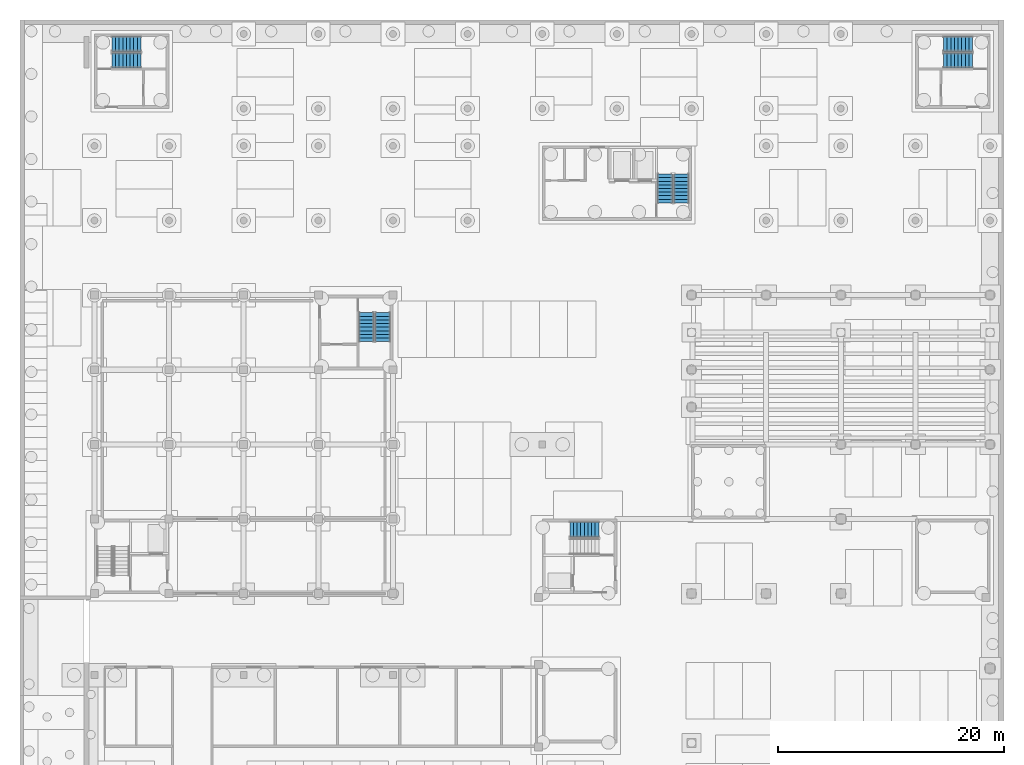
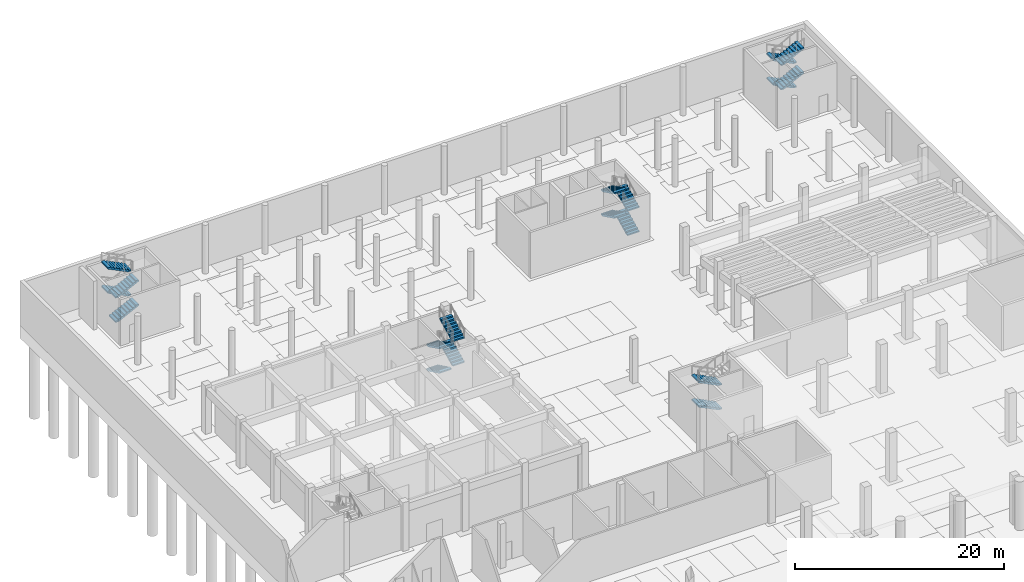
# One storey, part 21 of 38: 18 stair flights, 5 elements without a shape of their own.
"""IFC4 building model written with IfcOpenShell, lengths in metres."""

from ifc_helpers import new_model, si_unit, direction, frame, origin, place, context, subcontext, project, spatial, polyline, outline, extrude, material, type_object, element, aggregate, save


model = new_model("IFC4")

# Units and contexts
model_context = context("Model", 3, precision=1e-05, world=origin(), true_north=direction((0.0, 1.0)))
body_context = subcontext(model_context, "Body", "Model", "MODEL_VIEW")
ifc_project = project(units=[si_unit("LENGTHUNIT", "METRE"), si_unit("AREAUNIT", "SQUARE_METRE"), si_unit("VOLUMEUNIT", "CUBIC_METRE"), si_unit("PLANEANGLEUNIT", "RADIAN"), si_unit("MASSUNIT", "GRAM", prefix="KILO")], contexts=[model_context])

# Site, building, storey
site_placement = place(None, origin())
site = spatial("IfcSite", under=ifc_project, at=site_placement, CompositionType="ELEMENT")
building_placement = place(site_placement, origin())
building = spatial("IfcBuilding", under=site, at=building_placement, Name="Lantern Court Research Institute", CompositionType="ELEMENT")
storey_placement = place(building_placement, frame((0.0, 0.0, -5.699951171875)))
storey = spatial("IfcBuildingStorey", under=building, at=storey_placement, Name="B1", CompositionType="ELEMENT", Elevation=-5.699951171875)

# Stair, stair flights
ifc_material_1 = material(Name="Concrete C40/50", Category="concrete")
stair_type_1 = type_object("IfcStairType", Name="RC half-turn stair 1300 wide, 5700 rise, 6100 shaft", PredefinedType="HALF_TURN_STAIR", material=ifc_material_1)
stair_1_placement = place(storey_placement, origin())
stair_1 = element("IfcStair", 1, at=stair_1_placement, inside=storey, type_object=stair_type_1, Name="B1 stair ST-W1", PredefinedType="HALF_TURN_STAIR")
ifc_material_2 = material(Name="Concrete C40/50", Category="concrete")
stair_flight_type_1 = type_object("IfcStairFlightType", Name="RC stair flight 1300 wide, 9 risers of 158, going 320", PredefinedType="STRAIGHT", material=ifc_material_2)
stair_flight_1_placement = place(storey_placement, frame((1.550048828125, 96.64990234375, 0.0), z_axis=(0.0, 0.0, 1.0), x_axis=(1.0, 0.0, 0.0)))
stair_flight_1 = element("IfcStairFlight", 2, at=stair_flight_1_placement, type_object=stair_flight_type_1, Name="ST-W1 flight 1", NumberOfRisers=9, NumberOfTreads=8, PredefinedType="STRAIGHT", RiserHeight=0.158333333, TreadLength=0.32, context=body_context, shape_type="SweptSolid", body=[
    extrude(outline(polyline([(0.0, 0.0), (0.0, 0.158447265625), (0.320068359375, 0.158447265625), (0.320068359375, 0.316650390625), (0.639892578125, 0.316650390625), (0.639892578125, 0.47509765625), (0.9599609375, 0.47509765625), (0.9599609375, 0.63330078125), (1.280029296875, 0.63330078125), (1.280029296875, 0.791748046875), (1.60009765625, 0.791748046875), (1.60009765625, 0.949951171875), (1.919921875, 0.949951171875), (1.919921875, 1.1083984375), (2.239990234375, 1.1083984375), (2.239990234375, 1.2666015625), (2.56005859375, 1.2666015625), (2.56005859375, 1.425048828125), (2.56005859375, 1.099365234375), (0.338134765625, 0.0), (0.0, 0.0)])), frame((0.0, 0.64990234375, 0.0), z_axis=(0.0, -1.0, 0.0), x_axis=(1.0, 0.0, 0.0)), (0.0, 0.0, 1.0), 1.300048828125),
])
stair_flight_2_placement = place(storey_placement, frame((4.110107421875, 98.10009765625, 1.425048828125), z_axis=(0.0, 0.0, 1.0), x_axis=(-1.0, 0.0, 0.0)))
stair_flight_2 = element("IfcStairFlight", 3, at=stair_flight_2_placement, type_object=stair_flight_type_1, Name="ST-W1 flight 2", NumberOfRisers=9, NumberOfTreads=8, PredefinedType="STRAIGHT", RiserHeight=0.158333333, TreadLength=0.32, context=body_context, shape_type="SweptSolid", body=[
    extrude(outline(polyline([(0.0, 0.0), (0.0, 0.158447265625), (0.320068359375, 0.158447265625), (0.320068359375, 0.316650390625), (0.639892578125, 0.316650390625), (0.639892578125, 0.47509765625), (0.9599609375, 0.47509765625), (0.9599609375, 0.63330078125), (1.280029296875, 0.63330078125), (1.280029296875, 0.791748046875), (1.60009765625, 0.791748046875), (1.60009765625, 0.949951171875), (1.919921875, 0.949951171875), (1.919921875, 1.1083984375), (2.239990234375, 1.1083984375), (2.239990234375, 1.2666015625), (2.56005859375, 1.2666015625), (2.56005859375, 1.425048828125), (2.56005859375, 1.099365234375), (0.338134765625, 0.0), (0.0, 0.0)])), frame((0.0, 0.64990234375, 0.0), z_axis=(0.0, -1.0, 0.0), x_axis=(1.0, 0.0, 0.0)), (0.0, 0.0, 1.0), 1.300048828125),
])
stair_flight_3_placement = place(storey_placement, frame((1.550048828125, 96.64990234375, 2.849853515625), z_axis=(0.0, 0.0, 1.0), x_axis=(1.0, 0.0, 0.0)))
stair_flight_3 = element("IfcStairFlight", 4, at=stair_flight_3_placement, type_object=stair_flight_type_1, Name="ST-W1 flight 3", NumberOfRisers=9, NumberOfTreads=8, PredefinedType="STRAIGHT", RiserHeight=0.158333333, TreadLength=0.32, context=body_context, shape_type="SweptSolid", body=[
    extrude(outline(polyline([(0.0, 0.0), (0.0, 0.158447265625), (0.320068359375, 0.158447265625), (0.320068359375, 0.316650390625), (0.639892578125, 0.316650390625), (0.639892578125, 0.47509765625), (0.9599609375, 0.47509765625), (0.9599609375, 0.63330078125), (1.280029296875, 0.63330078125), (1.280029296875, 0.791748046875), (1.60009765625, 0.791748046875), (1.60009765625, 0.949951171875), (1.919921875, 0.949951171875), (1.919921875, 1.1083984375), (2.239990234375, 1.1083984375), (2.239990234375, 1.2666015625), (2.56005859375, 1.2666015625), (2.56005859375, 1.425048828125), (2.56005859375, 1.099365234375), (0.338134765625, 0.0), (0.0, 0.0)])), frame((0.0, 0.64990234375, 0.0), z_axis=(0.0, -1.0, 0.0), x_axis=(1.0, 0.0, 0.0)), (0.0, 0.0, 1.0), 1.300048828125),
])
stair_flight_4_placement = place(storey_placement, frame((4.110107421875, 98.10009765625, 4.27490234375), z_axis=(0.0, 0.0, 1.0), x_axis=(-1.0, 0.0, 0.0)))
stair_flight_4 = element("IfcStairFlight", 5, at=stair_flight_4_placement, type_object=stair_flight_type_1, Name="ST-W1 flight 4", NumberOfRisers=9, NumberOfTreads=8, PredefinedType="STRAIGHT", RiserHeight=0.158333333, TreadLength=0.32, context=body_context, shape_type="SweptSolid", body=[
    extrude(outline(polyline([(0.0, 0.0), (0.0, 0.158447265625), (0.320068359375, 0.158447265625), (0.320068359375, 0.316650390625), (0.639892578125, 0.316650390625), (0.639892578125, 0.47509765625), (0.9599609375, 0.47509765625), (0.9599609375, 0.63330078125), (1.280029296875, 0.63330078125), (1.280029296875, 0.791748046875), (1.60009765625, 0.791748046875), (1.60009765625, 0.949951171875), (1.919921875, 0.949951171875), (1.919921875, 1.1083984375), (2.239990234375, 1.1083984375), (2.239990234375, 1.2666015625), (2.56005859375, 1.2666015625), (2.56005859375, 1.425048828125), (2.56005859375, 1.099365234375), (0.338134765625, 0.0), (0.0, 0.0)])), frame((0.0, 0.64990234375, 0.0), z_axis=(0.0, -1.0, 0.0), x_axis=(1.0, 0.0, 0.0)), (0.0, 0.0, 1.0), 1.300048828125),
])
aggregate(stair_1, [stair_flight_1, stair_flight_2, stair_flight_3, stair_flight_4])

stair_2_placement = place(storey_placement, origin())
stair_2 = element("IfcStair", 6, at=stair_2_placement, inside=storey, type_object=stair_type_1, Name="B1 stair ST-W2", PredefinedType="HALF_TURN_STAIR")
stair_flight_5_placement = place(storey_placement, frame((51.89990234375, 84.050048828125, 0.0), z_axis=(0.0, 0.0, 1.0), x_axis=(0.0, 1.0, 0.0)))
stair_flight_5 = element("IfcStairFlight", 7, at=stair_flight_5_placement, type_object=stair_flight_type_1, Name="ST-W2 flight 1", NumberOfRisers=9, NumberOfTreads=8, PredefinedType="STRAIGHT", RiserHeight=0.158333333, TreadLength=0.32, context=body_context, shape_type="SweptSolid", body=[
    extrude(outline(polyline([(0.0, 0.0), (0.0, 0.158447265625), (0.320068359375, 0.158447265625), (0.320068359375, 0.316650390625), (0.639892578125, 0.316650390625), (0.639892578125, 0.47509765625), (0.9599609375, 0.47509765625), (0.9599609375, 0.63330078125), (1.280029296875, 0.63330078125), (1.280029296875, 0.791748046875), (1.60009765625, 0.791748046875), (1.60009765625, 0.949951171875), (1.919921875, 0.949951171875), (1.919921875, 1.1083984375), (2.239990234375, 1.1083984375), (2.239990234375, 1.2666015625), (2.56005859375, 1.2666015625), (2.56005859375, 1.425048828125), (2.56005859375, 1.099365234375), (0.338134765625, 0.0), (0.0, 0.0)])), frame((0.0, 0.64990234375, 0.0), z_axis=(0.0, -1.0, 0.0), x_axis=(1.0, 0.0, 0.0)), (0.0, 0.0, 1.0), 1.300048828125),
])
stair_flight_6_placement = place(storey_placement, frame((50.449951171875, 86.610107421875, 1.425048828125), z_axis=(0.0, 0.0, 1.0), x_axis=(0.0, -1.0, 0.0)))
stair_flight_6 = element("IfcStairFlight", 8, at=stair_flight_6_placement, type_object=stair_flight_type_1, Name="ST-W2 flight 2", NumberOfRisers=9, NumberOfTreads=8, PredefinedType="STRAIGHT", RiserHeight=0.158333333, TreadLength=0.32, context=body_context, shape_type="SweptSolid", body=[
    extrude(outline(polyline([(0.0, 0.0), (0.0, 0.158447265625), (0.320068359375, 0.158447265625), (0.320068359375, 0.316650390625), (0.639892578125, 0.316650390625), (0.639892578125, 0.47509765625), (0.9599609375, 0.47509765625), (0.9599609375, 0.63330078125), (1.280029296875, 0.63330078125), (1.280029296875, 0.791748046875), (1.60009765625, 0.791748046875), (1.60009765625, 0.949951171875), (1.919921875, 0.949951171875), (1.919921875, 1.1083984375), (2.239990234375, 1.1083984375), (2.239990234375, 1.2666015625), (2.56005859375, 1.2666015625), (2.56005859375, 1.425048828125), (2.56005859375, 1.099365234375), (0.338134765625, 0.0), (0.0, 0.0)])), frame((0.0, 0.64990234375, 0.0), z_axis=(0.0, -1.0, 0.0), x_axis=(1.0, 0.0, 0.0)), (0.0, 0.0, 1.0), 1.300048828125),
])
stair_flight_7_placement = place(storey_placement, frame((51.89990234375, 84.050048828125, 2.849853515625), z_axis=(0.0, 0.0, 1.0), x_axis=(0.0, 1.0, 0.0)))
stair_flight_7 = element("IfcStairFlight", 9, at=stair_flight_7_placement, type_object=stair_flight_type_1, Name="ST-W2 flight 3", NumberOfRisers=9, NumberOfTreads=8, PredefinedType="STRAIGHT", RiserHeight=0.158333333, TreadLength=0.32, context=body_context, shape_type="SweptSolid", body=[
    extrude(outline(polyline([(0.0, 0.0), (0.0, 0.158447265625), (0.320068359375, 0.158447265625), (0.320068359375, 0.316650390625), (0.639892578125, 0.316650390625), (0.639892578125, 0.47509765625), (0.9599609375, 0.47509765625), (0.9599609375, 0.63330078125), (1.280029296875, 0.63330078125), (1.280029296875, 0.791748046875), (1.60009765625, 0.791748046875), (1.60009765625, 0.949951171875), (1.919921875, 0.949951171875), (1.919921875, 1.1083984375), (2.239990234375, 1.1083984375), (2.239990234375, 1.2666015625), (2.56005859375, 1.2666015625), (2.56005859375, 1.425048828125), (2.56005859375, 1.099365234375), (0.338134765625, 0.0), (0.0, 0.0)])), frame((0.0, 0.64990234375, 0.0), z_axis=(0.0, -1.0, 0.0), x_axis=(1.0, 0.0, 0.0)), (0.0, 0.0, 1.0), 1.300048828125),
])
stair_flight_8_placement = place(storey_placement, frame((50.449951171875, 86.610107421875, 4.27490234375), z_axis=(0.0, 0.0, 1.0), x_axis=(0.0, -1.0, 0.0)))
stair_flight_8 = element("IfcStairFlight", 10, at=stair_flight_8_placement, type_object=stair_flight_type_1, Name="ST-W2 flight 4", NumberOfRisers=9, NumberOfTreads=8, PredefinedType="STRAIGHT", RiserHeight=0.158333333, TreadLength=0.32, context=body_context, shape_type="SweptSolid", body=[
    extrude(outline(polyline([(0.0, 0.0), (0.0, 0.158447265625), (0.320068359375, 0.158447265625), (0.320068359375, 0.316650390625), (0.639892578125, 0.316650390625), (0.639892578125, 0.47509765625), (0.9599609375, 0.47509765625), (0.9599609375, 0.63330078125), (1.280029296875, 0.63330078125), (1.280029296875, 0.791748046875), (1.60009765625, 0.791748046875), (1.60009765625, 0.949951171875), (1.919921875, 0.949951171875), (1.919921875, 1.1083984375), (2.239990234375, 1.1083984375), (2.239990234375, 1.2666015625), (2.56005859375, 1.2666015625), (2.56005859375, 1.425048828125), (2.56005859375, 1.099365234375), (0.338134765625, 0.0), (0.0, 0.0)])), frame((0.0, 0.64990234375, 0.0), z_axis=(0.0, -1.0, 0.0), x_axis=(1.0, 0.0, 0.0)), (0.0, 0.0, 1.0), 1.300048828125),
])
aggregate(stair_2, [stair_flight_5, stair_flight_6, stair_flight_7, stair_flight_8])

stair_3_placement = place(storey_placement, origin())
stair_3 = element("IfcStair", 11, at=stair_3_placement, inside=storey, type_object=stair_type_1, Name="B1 stair ST-W3", PredefinedType="HALF_TURN_STAIR")
stair_flight_9_placement = place(storey_placement, frame((77.64990234375, 98.10009765625, 0.0), z_axis=(0.0, 0.0, 1.0), x_axis=(-1.0, 0.0, 0.0)))
stair_flight_9 = element("IfcStairFlight", 12, at=stair_flight_9_placement, type_object=stair_flight_type_1, Name="ST-W3 flight 1", NumberOfRisers=9, NumberOfTreads=8, PredefinedType="STRAIGHT", RiserHeight=0.158333333, TreadLength=0.32, context=body_context, shape_type="SweptSolid", body=[
    extrude(outline(polyline([(0.0, 0.0), (0.0, 0.158447265625), (0.320068359375, 0.158447265625), (0.320068359375, 0.316650390625), (0.639892578125, 0.316650390625), (0.639892578125, 0.47509765625), (0.9599609375, 0.47509765625), (0.9599609375, 0.63330078125), (1.280029296875, 0.63330078125), (1.280029296875, 0.791748046875), (1.60009765625, 0.791748046875), (1.60009765625, 0.949951171875), (1.919921875, 0.949951171875), (1.919921875, 1.1083984375), (2.239990234375, 1.1083984375), (2.239990234375, 1.2666015625), (2.56005859375, 1.2666015625), (2.56005859375, 1.425048828125), (2.56005859375, 1.099365234375), (0.338134765625, 0.0), (0.0, 0.0)])), frame((0.0, 0.64990234375, 0.0), z_axis=(0.0, -1.0, 0.0), x_axis=(1.0, 0.0, 0.0)), (0.0, 0.0, 1.0), 1.300048828125),
])
stair_flight_10_placement = place(storey_placement, frame((75.090087890625, 96.64990234375, 1.425048828125), z_axis=(0.0, 0.0, 1.0), x_axis=(1.0, 0.0, 0.0)))
stair_flight_10 = element("IfcStairFlight", 13, at=stair_flight_10_placement, type_object=stair_flight_type_1, Name="ST-W3 flight 2", NumberOfRisers=9, NumberOfTreads=8, PredefinedType="STRAIGHT", RiserHeight=0.158333333, TreadLength=0.32, context=body_context, shape_type="SweptSolid", body=[
    extrude(outline(polyline([(0.0, 0.0), (0.0, 0.158447265625), (0.320068359375, 0.158447265625), (0.320068359375, 0.316650390625), (0.639892578125, 0.316650390625), (0.639892578125, 0.47509765625), (0.9599609375, 0.47509765625), (0.9599609375, 0.63330078125), (1.280029296875, 0.63330078125), (1.280029296875, 0.791748046875), (1.60009765625, 0.791748046875), (1.60009765625, 0.949951171875), (1.919921875, 0.949951171875), (1.919921875, 1.1083984375), (2.239990234375, 1.1083984375), (2.239990234375, 1.2666015625), (2.56005859375, 1.2666015625), (2.56005859375, 1.425048828125), (2.56005859375, 1.099365234375), (0.338134765625, 0.0), (0.0, 0.0)])), frame((0.0, 0.64990234375, 0.0), z_axis=(0.0, -1.0, 0.0), x_axis=(1.0, 0.0, 0.0)), (0.0, 0.0, 1.0), 1.300048828125),
])
stair_flight_11_placement = place(storey_placement, frame((77.64990234375, 98.10009765625, 2.849853515625), z_axis=(0.0, 0.0, 1.0), x_axis=(-1.0, 0.0, 0.0)))
stair_flight_11 = element("IfcStairFlight", 14, at=stair_flight_11_placement, type_object=stair_flight_type_1, Name="ST-W3 flight 3", NumberOfRisers=9, NumberOfTreads=8, PredefinedType="STRAIGHT", RiserHeight=0.158333333, TreadLength=0.32, context=body_context, shape_type="SweptSolid", body=[
    extrude(outline(polyline([(0.0, 0.0), (0.0, 0.158447265625), (0.320068359375, 0.158447265625), (0.320068359375, 0.316650390625), (0.639892578125, 0.316650390625), (0.639892578125, 0.47509765625), (0.9599609375, 0.47509765625), (0.9599609375, 0.63330078125), (1.280029296875, 0.63330078125), (1.280029296875, 0.791748046875), (1.60009765625, 0.791748046875), (1.60009765625, 0.949951171875), (1.919921875, 0.949951171875), (1.919921875, 1.1083984375), (2.239990234375, 1.1083984375), (2.239990234375, 1.2666015625), (2.56005859375, 1.2666015625), (2.56005859375, 1.425048828125), (2.56005859375, 1.099365234375), (0.338134765625, 0.0), (0.0, 0.0)])), frame((0.0, 0.64990234375, 0.0), z_axis=(0.0, -1.0, 0.0), x_axis=(1.0, 0.0, 0.0)), (0.0, 0.0, 1.0), 1.300048828125),
])
stair_flight_12_placement = place(storey_placement, frame((75.090087890625, 96.64990234375, 4.27490234375), z_axis=(0.0, 0.0, 1.0), x_axis=(1.0, 0.0, 0.0)))
stair_flight_12 = element("IfcStairFlight", 15, at=stair_flight_12_placement, type_object=stair_flight_type_1, Name="ST-W3 flight 4", NumberOfRisers=9, NumberOfTreads=8, PredefinedType="STRAIGHT", RiserHeight=0.158333333, TreadLength=0.32, context=body_context, shape_type="SweptSolid", body=[
    extrude(outline(polyline([(0.0, 0.0), (0.0, 0.158447265625), (0.320068359375, 0.158447265625), (0.320068359375, 0.316650390625), (0.639892578125, 0.316650390625), (0.639892578125, 0.47509765625), (0.9599609375, 0.47509765625), (0.9599609375, 0.63330078125), (1.280029296875, 0.63330078125), (1.280029296875, 0.791748046875), (1.60009765625, 0.791748046875), (1.60009765625, 0.949951171875), (1.919921875, 0.949951171875), (1.919921875, 1.1083984375), (2.239990234375, 1.1083984375), (2.239990234375, 1.2666015625), (2.56005859375, 1.2666015625), (2.56005859375, 1.425048828125), (2.56005859375, 1.099365234375), (0.338134765625, 0.0), (0.0, 0.0)])), frame((0.0, 0.64990234375, 0.0), z_axis=(0.0, -1.0, 0.0), x_axis=(1.0, 0.0, 0.0)), (0.0, 0.0, 1.0), 1.300048828125),
])
aggregate(stair_3, [stair_flight_9, stair_flight_10, stair_flight_11, stair_flight_12])

stair_4_placement = place(storey_placement, origin())
stair_4 = element("IfcStair", 16, at=stair_4_placement, inside=storey, type_object=stair_type_1, Name="B1 stair ST-C2", PredefinedType="HALF_TURN_STAIR")
stair_flight_13_placement = place(storey_placement, frame((24.050048828125, 74.35009765625, 0.0), z_axis=(0.0, 0.0, 1.0), x_axis=(0.0, -1.0, 0.0)))
stair_flight_13 = element("IfcStairFlight", 17, at=stair_flight_13_placement, type_object=stair_flight_type_1, Name="ST-C2 flight 1", NumberOfRisers=9, NumberOfTreads=8, PredefinedType="STRAIGHT", RiserHeight=0.158333333, TreadLength=0.32, context=body_context, shape_type="SweptSolid", body=[
    extrude(outline(polyline([(0.0, 0.0), (0.0, 0.158447265625), (0.320068359375, 0.158447265625), (0.320068359375, 0.316650390625), (0.639892578125, 0.316650390625), (0.639892578125, 0.47509765625), (0.9599609375, 0.47509765625), (0.9599609375, 0.63330078125), (1.280029296875, 0.63330078125), (1.280029296875, 0.791748046875), (1.60009765625, 0.791748046875), (1.60009765625, 0.949951171875), (1.919921875, 0.949951171875), (1.919921875, 1.1083984375), (2.239990234375, 1.1083984375), (2.239990234375, 1.2666015625), (2.56005859375, 1.2666015625), (2.56005859375, 1.425048828125), (2.56005859375, 1.099365234375), (0.338134765625, 0.0), (0.0, 0.0)])), frame((0.0, 0.64990234375, 0.0), z_axis=(0.0, -1.0, 0.0), x_axis=(1.0, 0.0, 0.0)), (0.0, 0.0, 1.0), 1.300048828125),
])
stair_flight_14_placement = place(storey_placement, frame((25.5, 71.7900390625, 1.425048828125), z_axis=(0.0, 0.0, 1.0), x_axis=(0.0, 1.0, 0.0)))
stair_flight_14 = element("IfcStairFlight", 18, at=stair_flight_14_placement, type_object=stair_flight_type_1, Name="ST-C2 flight 2", NumberOfRisers=9, NumberOfTreads=8, PredefinedType="STRAIGHT", RiserHeight=0.158333333, TreadLength=0.32, context=body_context, shape_type="SweptSolid", body=[
    extrude(outline(polyline([(0.0, 0.0), (0.0, 0.158447265625), (0.320068359375, 0.158447265625), (0.320068359375, 0.316650390625), (0.639892578125, 0.316650390625), (0.639892578125, 0.47509765625), (0.9599609375, 0.47509765625), (0.9599609375, 0.63330078125), (1.280029296875, 0.63330078125), (1.280029296875, 0.791748046875), (1.60009765625, 0.791748046875), (1.60009765625, 0.949951171875), (1.919921875, 0.949951171875), (1.919921875, 1.1083984375), (2.239990234375, 1.1083984375), (2.239990234375, 1.2666015625), (2.56005859375, 1.2666015625), (2.56005859375, 1.425048828125), (2.56005859375, 1.099365234375), (0.338134765625, 0.0), (0.0, 0.0)])), frame((0.0, 0.64990234375, 0.0), z_axis=(0.0, -1.0, 0.0), x_axis=(1.0, 0.0, 0.0)), (0.0, 0.0, 1.0), 1.300048828125),
])
stair_flight_15_placement = place(storey_placement, frame((24.050048828125, 74.35009765625, 2.849853515625), z_axis=(0.0, 0.0, 1.0), x_axis=(0.0, -1.0, 0.0)))
stair_flight_15 = element("IfcStairFlight", 19, at=stair_flight_15_placement, type_object=stair_flight_type_1, Name="ST-C2 flight 3", NumberOfRisers=9, NumberOfTreads=8, PredefinedType="STRAIGHT", RiserHeight=0.158333333, TreadLength=0.32, context=body_context, shape_type="SweptSolid", body=[
    extrude(outline(polyline([(0.0, 0.0), (0.0, 0.158447265625), (0.320068359375, 0.158447265625), (0.320068359375, 0.316650390625), (0.639892578125, 0.316650390625), (0.639892578125, 0.47509765625), (0.9599609375, 0.47509765625), (0.9599609375, 0.63330078125), (1.280029296875, 0.63330078125), (1.280029296875, 0.791748046875), (1.60009765625, 0.791748046875), (1.60009765625, 0.949951171875), (1.919921875, 0.949951171875), (1.919921875, 1.1083984375), (2.239990234375, 1.1083984375), (2.239990234375, 1.2666015625), (2.56005859375, 1.2666015625), (2.56005859375, 1.425048828125), (2.56005859375, 1.099365234375), (0.338134765625, 0.0), (0.0, 0.0)])), frame((0.0, 0.64990234375, 0.0), z_axis=(0.0, -1.0, 0.0), x_axis=(1.0, 0.0, 0.0)), (0.0, 0.0, 1.0), 1.300048828125),
])
stair_flight_16_placement = place(storey_placement, frame((25.5, 71.7900390625, 4.27490234375), z_axis=(0.0, 0.0, 1.0), x_axis=(0.0, 1.0, 0.0)))
stair_flight_16 = element("IfcStairFlight", 20, at=stair_flight_16_placement, type_object=stair_flight_type_1, Name="ST-C2 flight 4", NumberOfRisers=9, NumberOfTreads=8, PredefinedType="STRAIGHT", RiserHeight=0.158333333, TreadLength=0.32, context=body_context, shape_type="SweptSolid", body=[
    extrude(outline(polyline([(0.0, 0.0), (0.0, 0.158447265625), (0.320068359375, 0.158447265625), (0.320068359375, 0.316650390625), (0.639892578125, 0.316650390625), (0.639892578125, 0.47509765625), (0.9599609375, 0.47509765625), (0.9599609375, 0.63330078125), (1.280029296875, 0.63330078125), (1.280029296875, 0.791748046875), (1.60009765625, 0.791748046875), (1.60009765625, 0.949951171875), (1.919921875, 0.949951171875), (1.919921875, 1.1083984375), (2.239990234375, 1.1083984375), (2.239990234375, 1.2666015625), (2.56005859375, 1.2666015625), (2.56005859375, 1.425048828125), (2.56005859375, 1.099365234375), (0.338134765625, 0.0), (0.0, 0.0)])), frame((0.0, 0.64990234375, 0.0), z_axis=(0.0, -1.0, 0.0), x_axis=(1.0, 0.0, 0.0)), (0.0, 0.0, 1.0), 1.300048828125),
])
aggregate(stair_4, [stair_flight_13, stair_flight_14, stair_flight_15, stair_flight_16])

ifc_material_3 = material(Name="Concrete C40/50", Category="concrete")
stair_type_2 = type_object("IfcStairType", Name="RC half-turn stair 1350 wide, 5700 rise, 6100 shaft", PredefinedType="HALF_TURN_STAIR", material=ifc_material_3)
stair_5_placement = place(storey_placement, origin())
stair_5 = element("IfcStair", 21, at=stair_5_placement, inside=storey, type_object=stair_type_2, Name="B1 stair ST-H1", PredefinedType="HALF_TURN_STAIR")
ifc_material_4 = material(Name="Concrete C40/50", Category="concrete")
stair_flight_type_2 = type_object("IfcStairFlightType", Name="RC stair flight 1350 wide, 9 risers of 158, going 320", PredefinedType="STRAIGHT", material=ifc_material_4)
stair_flight_17_placement = place(storey_placement, frame((44.60009765625, 55.175048828125, 0.0), z_axis=(0.0, 0.0, 1.0), x_axis=(-1.0, 0.0, 0.0)))
stair_flight_17 = element("IfcStairFlight", 22, at=stair_flight_17_placement, type_object=stair_flight_type_2, Name="ST-H1 flight 1", NumberOfRisers=9, NumberOfTreads=8, PredefinedType="STRAIGHT", RiserHeight=0.158333333, TreadLength=0.32, context=body_context, shape_type="SweptSolid", body=[
    extrude(outline(polyline([(0.0, 0.0), (0.0, 0.158447265625), (0.320068359375, 0.158447265625), (0.320068359375, 0.316650390625), (0.639892578125, 0.316650390625), (0.639892578125, 0.47509765625), (0.9599609375, 0.47509765625), (0.9599609375, 0.63330078125), (1.280029296875, 0.63330078125), (1.280029296875, 0.791748046875), (1.60009765625, 0.791748046875), (1.60009765625, 0.949951171875), (1.919921875, 0.949951171875), (1.919921875, 1.1083984375), (2.239990234375, 1.1083984375), (2.239990234375, 1.2666015625), (2.56005859375, 1.2666015625), (2.56005859375, 1.425048828125), (2.56005859375, 1.099365234375), (0.338134765625, 0.0), (0.0, 0.0)])), frame((0.0, 0.675048828125, 0.0), z_axis=(0.0, -1.0, 0.0), x_axis=(1.0, 0.0, 0.0)), (0.0, 0.0, 1.0), 1.35009765625),
])
stair_flight_18_placement = place(storey_placement, frame((44.60009765625, 55.175048828125, 2.849853515625), z_axis=(0.0, 0.0, 1.0), x_axis=(-1.0, 0.0, 0.0)))
stair_flight_18 = element("IfcStairFlight", 23, at=stair_flight_18_placement, type_object=stair_flight_type_2, Name="ST-H1 flight 3", NumberOfRisers=9, NumberOfTreads=8, PredefinedType="STRAIGHT", RiserHeight=0.158333333, TreadLength=0.32, context=body_context, shape_type="SweptSolid", body=[
    extrude(outline(polyline([(0.0, 0.0), (0.0, 0.158447265625), (0.320068359375, 0.158447265625), (0.320068359375, 0.316650390625), (0.639892578125, 0.316650390625), (0.639892578125, 0.47509765625), (0.9599609375, 0.47509765625), (0.9599609375, 0.63330078125), (1.280029296875, 0.63330078125), (1.280029296875, 0.791748046875), (1.60009765625, 0.791748046875), (1.60009765625, 0.949951171875), (1.919921875, 0.949951171875), (1.919921875, 1.1083984375), (2.239990234375, 1.1083984375), (2.239990234375, 1.2666015625), (2.56005859375, 1.2666015625), (2.56005859375, 1.425048828125), (2.56005859375, 1.099365234375), (0.338134765625, 0.0), (0.0, 0.0)])), frame((0.0, 0.675048828125, 0.0), z_axis=(0.0, -1.0, 0.0), x_axis=(1.0, 0.0, 0.0)), (0.0, 0.0, 1.0), 1.35009765625),
])
aggregate(stair_5, [stair_flight_17, stair_flight_18])

save(model, "model.ifc")
